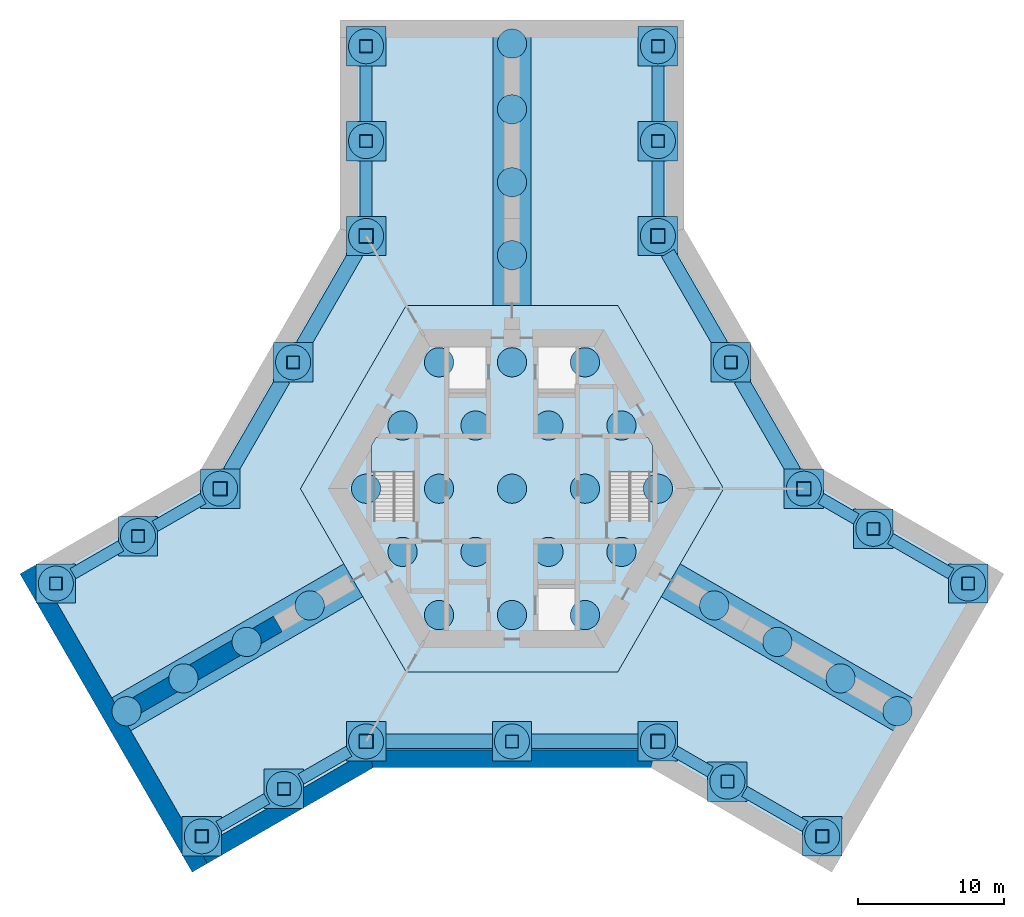
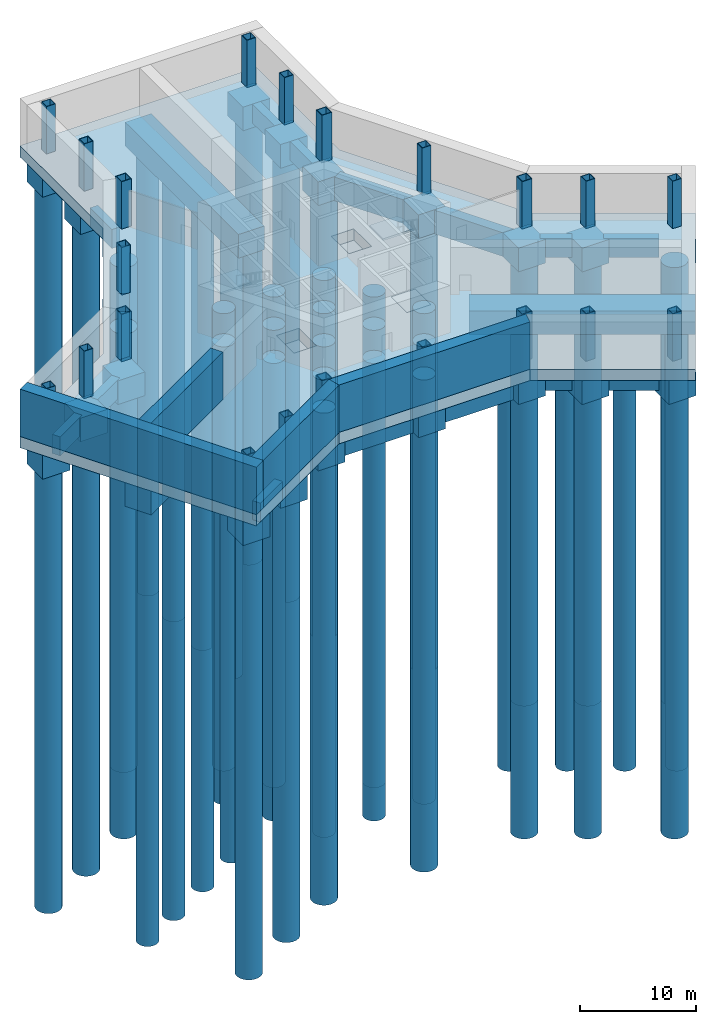
# One storey, part 1 of 5: 52 piles, 43 footings, 21 columns, 4 slabs, 4 walls, 2 elements without a shape of their own.
"""IFC4 building model written with IfcOpenShell, lengths in metres."""

from ifc_helpers import new_model, si_unit, direction, frame, frame_2d, origin, origin_2d, place, context, subcontext, project, spatial, polyline, rectangle, hollow_rectangle, circle, outline, extrude, material, layer, layer_set, material_profile, profile_set, type_object, element, aggregate, save


model = new_model("IFC4")

# Units and contexts
model_context = context("Model", 3, precision=1e-05, world=origin(), true_north=direction((0.0, 1.0)))
body_context = subcontext(model_context, "Body", "Model", "MODEL_VIEW")
ifc_project = project(units=[si_unit("LENGTHUNIT", "METRE"), si_unit("AREAUNIT", "SQUARE_METRE"), si_unit("VOLUMEUNIT", "CUBIC_METRE"), si_unit("PLANEANGLEUNIT", "RADIAN"), si_unit("MASSUNIT", "GRAM", prefix="KILO")], contexts=[model_context])

# Site, building, storey
site_placement = place(None, origin())
site = spatial("IfcSite", under=ifc_project, at=site_placement, CompositionType="ELEMENT")
building_placement = place(site_placement, origin())
building = spatial("IfcBuilding", under=site, at=building_placement, Name="Kasaneha Research Tower", CompositionType="ELEMENT")
storey_placement = place(building_placement, frame((0.0, 0.0, -10.0)))
storey = spatial("IfcBuildingStorey", under=building, at=storey_placement, Name="B2", CompositionType="ELEMENT", Elevation=-10.0)

# Piles
ifc_material_1 = material(Name="Concrete Fc36", Category="concrete")
ifc_material_profile_1 = material_profile(ifc_material_1, circle(Radius=1.0, at=origin_2d()), Name="Bored pile 2000")
ifc_profile_set_1 = profile_set([ifc_material_profile_1], Name="Concrete Fc36")
pile_type_1 = type_object("IfcPileType", Name="Bored pile 2000", PredefinedType="BORED", material=ifc_profile_set_1)
for number, where, z_axis, x_axis, name in (
    (1, (-5.0, -8.66015625, -5.199951171875), (0.0, 0.0, -1.0), (1.0, 0.0, 0.0), "Raft pile 1"),
    (2, (0.0, -8.66015625, -5.199951171875), (0.0, 0.0, -1.0), (1.0, 0.0, 0.0), "Raft pile 2"),
    (3, (5.0, -8.66015625, -5.199951171875), (0.0, 0.0, -1.0), (1.0, 0.0, 0.0), "Raft pile 3"),
    (4, (-7.5, -4.330078125, -5.199951171875), (0.0, 0.0, -1.0), (1.0, 0.0, 0.0), "Raft pile 4"),
    (5, (-2.5, -4.330078125, -5.199951171875), (0.0, 0.0, -1.0), (1.0, 0.0, 0.0), "Raft pile 5"),
    (6, (2.5, -4.330078125, -5.199951171875), (0.0, 0.0, -1.0), (1.0, 0.0, 0.0), "Raft pile 6"),
    (7, (7.5, -4.330078125, -5.199951171875), (0.0, 0.0, -1.0), (1.0, 0.0, 0.0), "Raft pile 7"),
    (8, (-10.0, 0.0, -5.199951171875), (0.0, 0.0, -1.0), (1.0, 0.0, 0.0), "Raft pile 8"),
    (9, (-5.0, 0.0, -5.199951171875), (0.0, 0.0, -1.0), (1.0, 0.0, 0.0), "Raft pile 9"),
    (10, (0.0, 0.0, -5.199951171875), (0.0, 0.0, -1.0), (1.0, 0.0, 0.0), "Raft pile 10"),
    (11, (5.0, 0.0, -5.199951171875), (0.0, 0.0, -1.0), (1.0, 0.0, 0.0), "Raft pile 11"),
    (12, (10.0, 0.0, -5.199951171875), (0.0, 0.0, -1.0), (1.0, 0.0, 0.0), "Raft pile 12"),
    (13, (-7.5, 4.330078125, -5.199951171875), (0.0, 0.0, -1.0), (1.0, 0.0, 0.0), "Raft pile 13"),
    (14, (-2.5, 4.330078125, -5.199951171875), (0.0, 0.0, -1.0), (1.0, 0.0, 0.0), "Raft pile 14"),
    (15, (2.5, 4.330078125, -5.199951171875), (0.0, 0.0, -1.0), (1.0, 0.0, 0.0), "Raft pile 15"),
    (16, (7.5, 4.330078125, -5.199951171875), (0.0, 0.0, -1.0), (1.0, 0.0, 0.0), "Raft pile 16"),
    (17, (-5.0, 8.66015625, -5.199951171875), (0.0, 0.0, -1.0), (1.0, 0.0, 0.0), "Raft pile 17"),
    (18, (0.0, 8.66015625, -5.199951171875), (0.0, 0.0, -1.0), (1.0, 0.0, 0.0), "Raft pile 18"),
    (19, (5.0, 8.66015625, -5.199951171875), (0.0, 0.0, -1.0), (1.0, 0.0, 0.0), "Raft pile 19"),
):
    element("IfcPile", number, at=place(storey_placement, frame(where, z_axis=z_axis, x_axis=x_axis)), inside=storey, type_object=pile_type_1, Name=name, PredefinedType="BORED", context=body_context, shape_type="SweptSolid", body=[
        extrude(circle(Radius=1.0, at=origin_2d()), origin(), (0.0, 0.0, 1.0), 44.800048828125),
    ])
for number, where, z_axis, x_axis, name in (
    (20, (0.0, 16.0, -3.699951171875), (0.0, 0.0, -1.0), (1.0, 0.0, 0.0), "Spine pile A1"),
    (21, (0.0, 21.0, -3.699951171875), (0.0, 0.0, -1.0), (1.0, 0.0, 0.0), "Spine pile A2"),
    (22, (0.0, 26.0, -3.699951171875), (0.0, 0.0, -1.0), (1.0, 0.0, 0.0), "Spine pile A3"),
    (23, (0.0, 30.5, -3.699951171875), (0.0, 0.0, -1.0), (1.0, 0.0, 0.0), "Spine pile A4"),
    (24, (-13.8564453125, -8.0, -3.699951171875), (0.0, 0.0, -1.0), (1.0, 0.0, 0.0), "Spine pile B1"),
    (25, (-18.1865234375, -10.5, -3.699951171875), (0.0, 0.0, -1.0), (1.0, 0.0, 0.0), "Spine pile B2"),
    (26, (-22.5166015625, -13.0, -3.699951171875), (0.0, 0.0, -1.0), (1.0, 0.0, 0.0), "Spine pile B3"),
    (27, (-26.413818359375, -15.25, -3.699951171875), (0.0, 0.0, -1.0), (1.0, 0.0, 0.0), "Spine pile B4"),
    (28, (13.8564453125, -8.0, -3.699951171875), (0.0, 0.0, -1.0), (1.0, 0.0, 0.0), "Spine pile C1"),
    (29, (18.1865234375, -10.5, -3.699951171875), (0.0, 0.0, -1.0), (1.0, 0.0, 0.0), "Spine pile C2"),
    (30, (22.5166015625, -13.0, -3.699951171875), (0.0, 0.0, -1.0), (1.0, 0.0, 0.0), "Spine pile C3"),
    (31, (26.413818359375, -15.25, -3.699951171875), (0.0, 0.0, -1.0), (1.0, 0.0, 0.0), "Spine pile C4"),
):
    element("IfcPile", number, at=place(storey_placement, frame(where, z_axis=z_axis, x_axis=x_axis)), inside=storey, type_object=pile_type_1, Name=name, PredefinedType="BORED", context=body_context, shape_type="SweptSolid", body=[
        extrude(circle(Radius=1.0, at=origin_2d()), origin(), (0.0, 0.0, 1.0), 46.300048828125),
    ])
ifc_material_2 = material(Name="Concrete Fc36", Category="concrete")
ifc_material_profile_2 = material_profile(ifc_material_2, circle(Radius=1.199951171875, at=origin_2d()), Name="Bored pile 2400")
ifc_profile_set_2 = profile_set([ifc_material_profile_2], Name="Concrete Fc36")
pile_type_2 = type_object("IfcPileType", Name="Bored pile 2400", PredefinedType="BORED", material=ifc_profile_set_2)
for number, where, z_axis, x_axis, name in (
    (32, (20.0, 0.0, -3.699951171875), (0.0, 0.0, -1.0), (1.0, 0.0, 0.0), "Column pile V0"),
    (33, (10.0, 17.320556640625, -3.699951171875), (0.0, 0.0, -1.0), (1.0, 0.0, 0.0), "Column pile V1"),
    (34, (-10.0, 17.320556640625, -3.699951171875), (0.0, 0.0, -1.0), (1.0, 0.0, 0.0), "Column pile V2"),
    (35, (-20.0, 0.0, -3.699951171875), (0.0, 0.0, -1.0), (1.0, 0.0, 0.0), "Column pile V3"),
    (36, (-10.0, -17.320556640625, -3.699951171875), (0.0, 0.0, -1.0), (1.0, 0.0, 0.0), "Column pile V4"),
    (37, (10.0, -17.320556640625, -3.699951171875), (0.0, 0.0, -1.0), (1.0, 0.0, 0.0), "Column pile V5"),
    (38, (15.0, 8.66015625, -3.699951171875), (0.0, 0.0, -1.0), (1.0, 0.0, 0.0), "Column pile M030"),
    (39, (-15.0, 8.66015625, -3.699951171875), (0.0, 0.0, -1.0), (1.0, 0.0, 0.0), "Column pile M150"),
    (40, (0.0, -17.320556640625, -3.699951171875), (0.0, 0.0, -1.0), (1.0, 0.0, 0.0), "Column pile M270"),
    (41, (10.0, 23.820556640625, -3.699951171875), (0.0, 0.0, -1.0), (1.0, 0.0, 0.0), "Column pile ASP"),
    (42, (10.0, 30.320556640625, -3.699951171875), (0.0, 0.0, -1.0), (1.0, 0.0, 0.0), "Column pile ATP"),
    (43, (-10.0, 23.820556640625, -3.699951171875), (0.0, 0.0, -1.0), (1.0, 0.0, 0.0), "Column pile ASN"),
    (44, (-10.0, 30.320556640625, -3.699951171875), (0.0, 0.0, -1.0), (1.0, 0.0, 0.0), "Column pile ATN"),
    (45, (-25.629150390625, -3.25, -3.699951171875), (0.0, 0.0, -1.0), (1.0, 0.0, 0.0), "Column pile BSP"),
    (46, (-31.25830078125, -6.5, -3.699951171875), (0.0, 0.0, -1.0), (1.0, 0.0, 0.0), "Column pile BTP"),
    (47, (-15.629150390625, -20.570556640625, -3.699951171875), (0.0, 0.0, -1.0), (1.0, 0.0, 0.0), "Column pile BSN"),
    (48, (-21.25830078125, -23.820556640625, -3.699951171875), (0.0, 0.0, -1.0), (1.0, 0.0, 0.0), "Column pile BTN"),
    (49, (14.76318359375, -20.070556640625, -3.699951171875), (0.0, 0.0, -1.0), (1.0, 0.0, 0.0), "Column pile CSP"),
    (50, (21.25830078125, -23.820556640625, -3.699951171875), (0.0, 0.0, -1.0), (1.0, 0.0, 0.0), "Column pile CTP"),
    (51, (24.76318359375, -2.75, -3.699951171875), (0.0, 0.0, -1.0), (1.0, 0.0, 0.0), "Column pile CSN"),
    (52, (31.25830078125, -6.5, -3.699951171875), (0.0, 0.0, -1.0), (1.0, 0.0, 0.0), "Column pile CTN"),
):
    element("IfcPile", number, at=place(storey_placement, frame(where, z_axis=z_axis, x_axis=x_axis)), inside=storey, type_object=pile_type_2, Name=name, PredefinedType="BORED", context=body_context, shape_type="SweptSolid", body=[
        extrude(circle(Radius=1.199951171875, at=origin_2d()), origin(), (0.0, 0.0, 1.0), 46.300048828125),
    ])

# Footings
ifc_material_3 = material(Name="Concrete Fc36", Category="concrete")
footing_type_1 = type_object("IfcFootingType", Name="Pile cap 2700", PredefinedType="PILE_CAP", material=ifc_material_3)
for number, where, z_axis, x_axis, name in (
    (53, (20.0, 0.0, -3.699951171875), (0.0, 0.0, 1.0), (1.0, 0.0, 0.0), "Pile cap V0"),
    (54, (10.0, 17.320556640625, -3.699951171875), (0.0, 0.0, 1.0), (1.0, 0.0, 0.0), "Pile cap V1"),
    (55, (-10.0, 17.320556640625, -3.699951171875), (0.0, 0.0, 1.0), (1.0, 0.0, 0.0), "Pile cap V2"),
    (56, (-20.0, 0.0, -3.699951171875), (0.0, 0.0, 1.0), (1.0, 0.0, 0.0), "Pile cap V3"),
    (57, (-10.0, -17.320556640625, -3.699951171875), (0.0, 0.0, 1.0), (1.0, 0.0, 0.0), "Pile cap V4"),
    (58, (10.0, -17.320556640625, -3.699951171875), (0.0, 0.0, 1.0), (1.0, 0.0, 0.0), "Pile cap V5"),
    (59, (15.0, 8.66015625, -3.699951171875), (0.0, 0.0, 1.0), (1.0, 0.0, 0.0), "Pile cap M030"),
    (60, (-15.0, 8.66015625, -3.699951171875), (0.0, 0.0, 1.0), (1.0, 0.0, 0.0), "Pile cap M150"),
    (61, (0.0, -17.320556640625, -3.699951171875), (0.0, 0.0, 1.0), (1.0, 0.0, 0.0), "Pile cap M270"),
    (62, (10.0, 23.820556640625, -3.699951171875), (0.0, 0.0, 1.0), (1.0, 0.0, 0.0), "Pile cap ASP"),
    (63, (10.0, 30.320556640625, -3.699951171875), (0.0, 0.0, 1.0), (1.0, 0.0, 0.0), "Pile cap ATP"),
    (64, (-10.0, 23.820556640625, -3.699951171875), (0.0, 0.0, 1.0), (1.0, 0.0, 0.0), "Pile cap ASN"),
    (65, (-10.0, 30.320556640625, -3.699951171875), (0.0, 0.0, 1.0), (1.0, 0.0, 0.0), "Pile cap ATN"),
    (66, (-25.629150390625, -3.25, -3.699951171875), (0.0, 0.0, 1.0), (1.0, 0.0, 0.0), "Pile cap BSP"),
    (67, (-31.25830078125, -6.5, -3.699951171875), (0.0, 0.0, 1.0), (1.0, 0.0, 0.0), "Pile cap BTP"),
    (68, (-15.629150390625, -20.570556640625, -3.699951171875), (0.0, 0.0, 1.0), (1.0, 0.0, 0.0), "Pile cap BSN"),
    (69, (-21.25830078125, -23.820556640625, -3.699951171875), (0.0, 0.0, 1.0), (1.0, 0.0, 0.0), "Pile cap BTN"),
    (70, (14.76318359375, -20.070556640625, -3.699951171875), (0.0, 0.0, 1.0), (1.0, 0.0, 0.0), "Pile cap CSP"),
    (71, (21.25830078125, -23.820556640625, -3.699951171875), (0.0, 0.0, 1.0), (1.0, 0.0, 0.0), "Pile cap CTP"),
    (72, (24.76318359375, -2.75, -3.699951171875), (0.0, 0.0, 1.0), (1.0, 0.0, 0.0), "Pile cap CSN"),
    (73, (31.25830078125, -6.5, -3.699951171875), (0.0, 0.0, 1.0), (1.0, 0.0, 0.0), "Pile cap CTN"),
):
    element("IfcFooting", number, at=place(storey_placement, frame(where, z_axis=z_axis, x_axis=x_axis)), inside=storey, type_object=footing_type_1, Name=name, PredefinedType="PILE_CAP", context=body_context, shape_type="SweptSolid", body=[
        extrude(rectangle(XDim=2.699951171875, YDim=2.699951171875, at=origin_2d()), origin(), (0.0, 0.0, 1.0), 2.5),
    ])
ifc_material_4 = material(Name="Concrete Fc36", Category="concrete")
ifc_layer_1 = layer(ifc_material_4, 4.0)
ifc_layer_set_1 = layer_set([ifc_layer_1], Name="Piled raft 4000")
footing_type_2 = type_object("IfcFootingType", Name="Piled raft 4000", PredefinedType="PILE_CAP", material=ifc_layer_set_1)
footing_1_placement = place(storey_placement, frame((0.0, 0.0, -5.199951171875)))
element("IfcFooting", 74, at=footing_1_placement, inside=storey, type_object=footing_type_2, Name="Core piled raft", PredefinedType="PILE_CAP", context=body_context, shape_type="SweptSolid", body=[
    extrude(outline(polyline([(14.5, 0.0), (7.25, 12.557373046875), (-7.25, 12.557373046875), (-14.5, 0.0), (-7.25, -12.557373046875), (7.25, -12.557373046875), (14.5, 0.0)])), origin(), (0.0, 0.0, 1.0), 4.0),
])
ifc_material_5 = material(Name="Concrete Fc36", Category="concrete")
footing_type_3 = type_object("IfcFootingType", Name="Strip footing 2600", PredefinedType="STRIP_FOOTING", material=ifc_material_5)
footing_2_placement = place(storey_placement, frame((0.0, 0.0, -3.699951171875)))
element("IfcFooting", 75, at=footing_2_placement, inside=storey, type_object=footing_type_3, Name="Spine wall strip footing A", PredefinedType="STRIP_FOOTING", context=body_context, shape_type="SweptSolid", body=[
    extrude(outline(polyline([(-1.300048828125, 12.557373046875), (-1.300048828125, 32.12060546875), (1.300048828125, 32.12060546875), (1.300048828125, 12.557373046875), (-1.300048828125, 12.557373046875)])), origin(), (0.0, 0.0, 1.0), 2.5),
])
footing_3_placement = place(storey_placement, frame((0.0, 0.0, -3.699951171875)))
element("IfcFooting", 76, at=footing_3_placement, inside=storey, type_object=footing_type_3, Name="Spine wall strip footing B", PredefinedType="STRIP_FOOTING", context=body_context, shape_type="SweptSolid", body=[
    extrude(outline(polyline([(-10.22509765625, -7.404541015625), (-27.167236328125, -17.18603515625), (-28.46728515625, -14.934326171875), (-11.52490234375, -5.15283203125), (-10.22509765625, -7.404541015625)])), origin(), (0.0, 0.0, 1.0), 2.5),
])
footing_4_placement = place(storey_placement, frame((0.0, 0.0, -3.699951171875)))
element("IfcFooting", 77, at=footing_4_placement, inside=storey, type_object=footing_type_3, Name="Spine wall strip footing C", PredefinedType="STRIP_FOOTING", context=body_context, shape_type="SweptSolid", body=[
    extrude(outline(polyline([(11.52490234375, -5.15283203125), (28.46728515625, -14.934326171875), (27.167236328125, -17.18603515625), (10.22509765625, -7.404541015625), (11.52490234375, -5.15283203125)])), origin(), (0.0, 0.0, 1.0), 2.5),
])
ifc_material_6 = material(Name="Concrete Fc36", Category="concrete")
footing_type_4 = type_object("IfcFootingType", Name="Tie beam 1000x2500", PredefinedType="FOOTING_BEAM", material=ifc_material_6)
for number, where, z_axis, x_axis, name in (
    (78, (-17.5, 4.330078125, -3.699951171875), (0.0, 0.0, 1.0), (0.5, 0.866025403784, 0.0), "Tie beam V3-M150"),
    (79, (-12.5, 12.990478515625, -3.699951171875), (0.0, 0.0, 1.0), (0.5, 0.866025403784, 0.0), "Tie beam M150-V2"),
    (80, (12.5, 12.990478515625, -3.699951171875), (0.0, 0.0, 1.0), (0.5, -0.866025403784, 0.0), "Tie beam V1-M030"),
    (81, (17.5, 4.330078125, -3.699951171875), (0.0, 0.0, 1.0), (0.5, -0.866025403784, 0.0), "Tie beam M030-V0"),
    (82, (5.0, -17.320556640625, -3.699951171875), (0.0, 0.0, 1.0), (-1.0, 0.0, 0.0), "Tie beam V5-M270"),
    (83, (-5.0, -17.320556640625, -3.699951171875), (0.0, 0.0, 1.0), (-1.0, 0.0, 0.0), "Tie beam M270-V4"),
):
    element("IfcFooting", number, at=place(storey_placement, frame(where, z_axis=z_axis, x_axis=x_axis)), inside=storey, type_object=footing_type_4, Name=name, PredefinedType="FOOTING_BEAM", context=body_context, shape_type="SweptSolid", body=[
        extrude(rectangle(XDim=7.300048828125, YDim=1.0, at=origin_2d()), origin(), (0.0, 0.0, 1.0), 2.5),
    ])
ifc_material_7 = material(Name="Concrete Fc36", Category="concrete")
footing_type_5 = type_object("IfcFootingType", Name="Tie beam 800x2000", PredefinedType="FOOTING_BEAM", material=ifc_material_7)
for number, where, z_axis, x_axis, name in (
    (84, (-28.44384765625, -4.875, -3.199951171875), (0.0, 0.0, 1.0), (0.866025403758, 0.500000000045, 0.0), "Tie beam BTP-BSP"),
    (85, (-22.814697265625, -1.625, -3.199951171875), (0.0, 0.0, 1.0), (0.866025403802, 0.49999999997, 0.0), "Tie beam BSP-V3"),
    (86, (-10.0, 20.570556640625, -3.199951171875), (0.0, 0.0, 1.0), (0.0, 1.0, 0.0), "Tie beam V2-ASN"),
    (87, (-10.0, 27.070556640625, -3.199951171875), (0.0, 0.0, 1.0), (0.0, 1.0, 0.0), "Tie beam ASN-ATN"),
    (88, (10.0, 27.070556640625, -3.199951171875), (0.0, 0.0, 1.0), (0.0, -1.0, 0.0), "Tie beam ATP-ASP"),
    (89, (10.0, 20.570556640625, -3.199951171875), (0.0, 0.0, 1.0), (0.0, -1.0, 0.0), "Tie beam ASP-V1"),
):
    element("IfcFooting", number, at=place(storey_placement, frame(where, z_axis=z_axis, x_axis=x_axis)), inside=storey, type_object=footing_type_5, Name=name, PredefinedType="FOOTING_BEAM", context=body_context, shape_type="SweptSolid", body=[
        extrude(rectangle(XDim=3.800048828125, YDim=0.800048828125, at=origin_2d()), origin(), (0.0, 0.0, 1.0), 2.0),
    ])
footing_5_placement = place(storey_placement, frame((22.381591796875, -1.375, -3.199951171875), z_axis=(0.0, 0.0, 1.0), x_axis=(0.866025403793, -0.499999999985, 0.0)))
element("IfcFooting", 90, at=footing_5_placement, inside=storey, type_object=footing_type_5, Name="Tie beam V0-CSN", PredefinedType="FOOTING_BEAM", context=body_context, shape_type="SweptSolid", body=[
    extrude(rectangle(XDim=2.800048828125, YDim=0.800048828125, at=origin_2d()), origin(), (0.0, 0.0, 1.0), 2.0),
])
for number, where, z_axis, x_axis, name in (
    (91, (28.0107421875, -4.625, -3.199951171875), (0.0, 0.0, 1.0), (0.866025403776, -0.500000000015, 0.0), "Tie beam CSN-CTN"),
    (92, (18.0107421875, -21.945556640625, -3.199951171875), (0.0, 0.0, 1.0), (-0.866025403776, 0.500000000015, 0.0), "Tie beam CTP-CSP"),
):
    element("IfcFooting", number, at=place(storey_placement, frame(where, z_axis=z_axis, x_axis=x_axis)), inside=storey, type_object=footing_type_5, Name=name, PredefinedType="FOOTING_BEAM", context=body_context, shape_type="SweptSolid", body=[
        extrude(rectangle(XDim=4.800048828125, YDim=0.800048828125, at=origin_2d()), origin(), (0.0, 0.0, 1.0), 2.0),
    ])
footing_6_placement = place(storey_placement, frame((12.381591796875, -18.695556640625, -3.199951171875), z_axis=(0.0, 0.0, 1.0), x_axis=(-0.866025403767, 0.50000000003, 0.0)))
element("IfcFooting", 93, at=footing_6_placement, inside=storey, type_object=footing_type_5, Name="Tie beam CSP-V5", PredefinedType="FOOTING_BEAM", context=body_context, shape_type="SweptSolid", body=[
    extrude(rectangle(XDim=2.800048828125, YDim=0.800048828125, at=origin_2d()), origin(), (0.0, 0.0, 1.0), 2.0),
])
for number, where, z_axis, x_axis, name in (
    (94, (-12.814697265625, -18.945556640625, -3.199951171875), (0.0, 0.0, 1.0), (-0.866025403776, -0.500000000015, 0.0), "Tie beam V4-BSN"),
    (95, (-18.44384765625, -22.195556640625, -3.199951171875), (0.0, 0.0, 1.0), (-0.866025403758, -0.500000000045, 0.0), "Tie beam BSN-BTN"),
):
    element("IfcFooting", number, at=place(storey_placement, frame(where, z_axis=z_axis, x_axis=x_axis)), inside=storey, type_object=footing_type_5, Name=name, PredefinedType="FOOTING_BEAM", context=body_context, shape_type="SweptSolid", body=[
        extrude(rectangle(XDim=3.800048828125, YDim=0.800048828125, at=origin_2d()), origin(), (0.0, 0.0, 1.0), 2.0),
    ])

# Columns
ifc_material_8 = material(Name="Steel SN490C", Category="steel")
ifc_material_profile_3 = material_profile(ifc_material_8, hollow_rectangle(XDim=1.0, YDim=1.0, WallThickness=0.06005859375, at=origin_2d()), Name="BOX-1000x1000x60")
ifc_profile_set_3 = profile_set([ifc_material_profile_3], Name="Steel SN490C")
column_type_1 = type_object("IfcColumnType", Name="C1A column BOX-1000x1000x60", PredefinedType="COLUMN", material=ifc_profile_set_3)
for number, where, z_axis, x_axis, name in (
    (96, (20.0, 0.0, -1.199951171875), (0.0, 0.0, 1.0), (1.0, 0.0, 0.0), "Column V0 B2"),
    (97, (10.0, 17.320556640625, -1.199951171875), (0.0, 0.0, 1.0), (1.0, 0.0, 0.0), "Column V1 B2"),
    (98, (-10.0, 17.320556640625, -1.199951171875), (0.0, 0.0, 1.0), (1.0, 0.0, 0.0), "Column V2 B2"),
    (99, (-20.0, 0.0, -1.199951171875), (0.0, 0.0, 1.0), (1.0, 0.0, 0.0), "Column V3 B2"),
    (100, (-10.0, -17.320556640625, -1.199951171875), (0.0, 0.0, 1.0), (1.0, 0.0, 0.0), "Column V4 B2"),
    (101, (10.0, -17.320556640625, -1.199951171875), (0.0, 0.0, 1.0), (1.0, 0.0, 0.0), "Column V5 B2"),
):
    element("IfcColumn", number, at=place(storey_placement, frame(where, z_axis=z_axis, x_axis=x_axis)), inside=storey, type_object=column_type_1, Name=name, PredefinedType="COLUMN", context=body_context, shape_type="SweptSolid", body=[
        extrude(hollow_rectangle(XDim=1.0, YDim=1.0, WallThickness=0.06005859375, at=origin_2d()), origin(), (0.0, 0.0, 1.0), 6.199951171875),
    ])
ifc_material_9 = material(Name="Steel SN490C", Category="steel")
ifc_material_profile_4 = material_profile(ifc_material_9, hollow_rectangle(XDim=0.89990234375, YDim=0.89990234375, WallThickness=0.050048828125, at=origin_2d()), Name="BOX-900x900x50")
ifc_profile_set_4 = profile_set([ifc_material_profile_4], Name="Steel SN490C")
column_type_2 = type_object("IfcColumnType", Name="C1B column BOX-900x900x50", PredefinedType="COLUMN", material=ifc_profile_set_4)
for number, where, z_axis, x_axis, name in (
    (102, (15.0, 8.66015625, -1.199951171875), (0.0, 0.0, 1.0), (1.0, 0.0, 0.0), "Column M030 B2"),
    (103, (-15.0, 8.66015625, -1.199951171875), (0.0, 0.0, 1.0), (1.0, 0.0, 0.0), "Column M150 B2"),
    (104, (0.0, -17.320556640625, -1.199951171875), (0.0, 0.0, 1.0), (1.0, 0.0, 0.0), "Column M270 B2"),
    (105, (10.0, 23.820556640625, -1.199951171875), (0.0, 0.0, 1.0), (1.0, 0.0, 0.0), "Column ASP B2"),
    (106, (10.0, 30.320556640625, -1.199951171875), (0.0, 0.0, 1.0), (1.0, 0.0, 0.0), "Column ATP B2"),
    (107, (-10.0, 23.820556640625, -1.199951171875), (0.0, 0.0, 1.0), (1.0, 0.0, 0.0), "Column ASN B2"),
    (108, (-10.0, 30.320556640625, -1.199951171875), (0.0, 0.0, 1.0), (1.0, 0.0, 0.0), "Column ATN B2"),
    (109, (-25.629150390625, -3.25, -1.199951171875), (0.0, 0.0, 1.0), (1.0, 0.0, 0.0), "Column BSP B2"),
    (110, (-31.25830078125, -6.5, -1.199951171875), (0.0, 0.0, 1.0), (1.0, 0.0, 0.0), "Column BTP B2"),
    (111, (-15.629150390625, -20.570556640625, -1.199951171875), (0.0, 0.0, 1.0), (1.0, 0.0, 0.0), "Column BSN B2"),
    (112, (-21.25830078125, -23.820556640625, -1.199951171875), (0.0, 0.0, 1.0), (1.0, 0.0, 0.0), "Column BTN B2"),
    (113, (14.76318359375, -20.070556640625, -1.199951171875), (0.0, 0.0, 1.0), (1.0, 0.0, 0.0), "Column CSP B2"),
    (114, (21.25830078125, -23.820556640625, -1.199951171875), (0.0, 0.0, 1.0), (1.0, 0.0, 0.0), "Column CTP B2"),
    (115, (24.76318359375, -2.75, -1.199951171875), (0.0, 0.0, 1.0), (1.0, 0.0, 0.0), "Column CSN B2"),
    (116, (31.25830078125, -6.5, -1.199951171875), (0.0, 0.0, 1.0), (1.0, 0.0, 0.0), "Column CTN B2"),
):
    element("IfcColumn", number, at=place(storey_placement, frame(where, z_axis=z_axis, x_axis=x_axis)), inside=storey, type_object=column_type_2, Name=name, PredefinedType="COLUMN", context=body_context, shape_type="SweptSolid", body=[
        extrude(hollow_rectangle(XDim=0.89990234375, YDim=0.89990234375, WallThickness=0.050048828125, at=origin_2d()), origin(), (0.0, 0.0, 1.0), 6.199951171875),
    ])

# Slabs
ifc_material_10 = material(Name="Concrete Fc36", Category="concrete")
ifc_layer_2 = layer(ifc_material_10, 1.199951171875)
ifc_layer_set_2 = layer_set([ifc_layer_2], Name="Base slab 1200")
slab_type_1 = type_object("IfcSlabType", Name="Base slab 1200", PredefinedType="BASESLAB", material=ifc_layer_set_2)
slab_1_placement = place(storey_placement, frame((0.0, 0.0, -1.199951171875)))
element("IfcSlab", 117, at=slab_1_placement, inside=storey, type_object=slab_type_1, Name="Base slab", PredefinedType="BASESLAB", context=body_context, shape_type="SweptSolid", body=[
    extrude(outline(polyline([(-21.317626953125, 1.317626953125), (-11.800048828125, 17.802734375), (-11.800048828125, 32.12060546875), (11.800048828125, 32.12060546875), (11.800048828125, 17.802734375), (21.317626953125, 1.317626953125), (33.71728515625, -5.841064453125), (21.917236328125, -26.279296875), (9.517578125, -19.12060546875), (-9.517578125, -19.12060546875), (-21.917236328125, -26.279296875), (-33.71728515625, -5.841064453125), (-21.317626953125, 1.317626953125)]), holes=[polyline([(-20.808349609375, -23.37060546875), (-21.708251953125, -23.37060546875), (-21.708251953125, -24.2705078125), (-20.808349609375, -24.2705078125), (-20.808349609375, -23.37060546875)]), polyline([(-15.17919921875, -21.0205078125), (-15.17919921875, -20.12060546875), (-16.0791015625, -20.12060546875), (-16.0791015625, -21.0205078125), (-15.17919921875, -21.0205078125)]), polyline([(0.449951171875, -17.7705078125), (0.449951171875, -16.87060546875), (-0.449951171875, -16.87060546875), (-0.449951171875, -17.7705078125), (0.449951171875, -17.7705078125)]), polyline([(-9.5, -16.820556640625), (-10.5, -16.820556640625), (-10.5, -17.820556640625), (-9.5, -17.820556640625), (-9.5, -16.820556640625)]), polyline([(-30.808349609375, -6.949951171875), (-30.808349609375, -6.050048828125), (-31.708251953125, -6.050048828125), (-31.708251953125, -6.949951171875), (-30.808349609375, -6.949951171875)]), polyline([(-4.675048828125, -6.824951171875), (-4.675048828125, -3.77490234375), (-6.925048828125, -3.77490234375), (-6.925048828125, -6.824951171875), (-4.675048828125, -6.824951171875)]), polyline([(-25.17919921875, -2.800048828125), (-26.0791015625, -2.800048828125), (-26.0791015625, -3.699951171875), (-25.17919921875, -3.699951171875), (-25.17919921875, -2.800048828125)]), polyline([(-19.5, -0.5), (-19.5, 0.5), (-20.5, 0.5), (-20.5, -0.5), (-19.5, -0.5)]), polyline([(-14.550048828125, 8.210205078125), (-14.550048828125, 9.1103515625), (-15.449951171875, 9.1103515625), (-15.449951171875, 8.210205078125), (-14.550048828125, 8.210205078125)]), polyline([(-9.5, 17.820556640625), (-10.5, 17.820556640625), (-10.5, 16.820556640625), (-9.5, 16.820556640625), (-9.5, 17.820556640625)]), polyline([(-9.550048828125, 23.37060546875), (-9.550048828125, 24.2705078125), (-10.449951171875, 24.2705078125), (-10.449951171875, 23.37060546875), (-9.550048828125, 23.37060546875)]), polyline([(-9.550048828125, 29.87060546875), (-9.550048828125, 30.7705078125), (-10.449951171875, 30.7705078125), (-10.449951171875, 29.87060546875), (-9.550048828125, 29.87060546875)]), polyline([(21.708251953125, -23.37060546875), (20.808349609375, -23.37060546875), (20.808349609375, -24.2705078125), (21.708251953125, -24.2705078125), (21.708251953125, -23.37060546875)]), polyline([(15.213134765625, -20.5205078125), (15.213134765625, -19.62060546875), (14.313232421875, -19.62060546875), (14.313232421875, -20.5205078125), (15.213134765625, -20.5205078125)]), polyline([(10.5, -17.820556640625), (10.5, -16.820556640625), (9.5, -16.820556640625), (9.5, -17.820556640625), (10.5, -17.820556640625)]), polyline([(31.708251953125, -6.050048828125), (30.808349609375, -6.050048828125), (30.808349609375, -6.949951171875), (31.708251953125, -6.949951171875), (31.708251953125, -6.050048828125)]), polyline([(7.0, -6.39990234375), (7.0, -3.675048828125), (4.574951171875, -3.675048828125), (4.574951171875, -6.39990234375), (7.0, -6.39990234375)]), polyline([(25.213134765625, -3.199951171875), (25.213134765625, -2.300048828125), (24.313232421875, -2.300048828125), (24.313232421875, -3.199951171875), (25.213134765625, -3.199951171875)]), polyline([(20.5, 0.5), (19.5, 0.5), (19.5, -0.5), (20.5, -0.5), (20.5, 0.5)]), polyline([(6.925048828125, 3.77490234375), (6.925048828125, 6.824951171875), (4.675048828125, 6.824951171875), (4.675048828125, 3.77490234375), (6.925048828125, 3.77490234375)]), polyline([(15.449951171875, 8.210205078125), (15.449951171875, 9.1103515625), (14.550048828125, 9.1103515625), (14.550048828125, 8.210205078125), (15.449951171875, 8.210205078125)]), polyline([(10.5, 17.820556640625), (9.5, 17.820556640625), (9.5, 16.820556640625), (10.5, 16.820556640625), (10.5, 17.820556640625)]), polyline([(10.449951171875, 23.37060546875), (10.449951171875, 24.2705078125), (9.550048828125, 24.2705078125), (9.550048828125, 23.37060546875), (10.449951171875, 23.37060546875)]), polyline([(10.449951171875, 29.87060546875), (10.449951171875, 30.7705078125), (9.550048828125, 30.7705078125), (9.550048828125, 29.87060546875), (10.449951171875, 29.87060546875)])]), origin(), (0.0, 0.0, 1.0), 1.199951171875),
])
ifc_material_11 = material(Name="Concrete Fc24", Category="concrete")
ifc_layer_3 = layer(ifc_material_11, 0.300048828125)
ifc_layer_set_3 = layer_set([ifc_layer_3], Name="Lift pit slab 300")
slab_type_2 = type_object("IfcSlabType", Name="Lift pit slab 300", PredefinedType="USERDEFINED", material=ifc_layer_set_3)
slab_2_placement = place(storey_placement, frame((0.0, 0.0, -0.300048828125)))
element("IfcSlab", 118, at=slab_2_placement, inside=storey, type_object=slab_type_2, Name="Lift pit slab PL1", ObjectType="LIFT PIT SLAB", PredefinedType="USERDEFINED", context=body_context, shape_type="SweptSolid", body=[
    extrude(outline(polyline([(7.0, -6.39990234375), (4.574951171875, -6.39990234375), (4.574951171875, -3.675048828125), (7.0, -3.675048828125), (7.0, -6.39990234375)])), origin(), (0.0, 0.0, 1.0), 0.300048828125),
])

# Stair, slab
ifc_material_12 = material(Name="Concrete Fc24", Category="concrete")
stair_type = type_object("IfcStairType", Name="Half-turn stair 28 risers", PredefinedType="HALF_TURN_STAIR", material=ifc_material_12)
stair_1_placement = place(storey_placement, origin())
stair_1 = element("IfcStair", 119, at=stair_1_placement, inside=storey, type_object=stair_type, Name="Stair 1 B2", PredefinedType="HALF_TURN_STAIR")
ifc_material_13 = material(Name="Concrete Fc24", Category="concrete")
ifc_layer_4 = layer(ifc_material_13, 0.199951171875)
ifc_layer_set_4 = layer_set([ifc_layer_4], Name="Stair 1 landing 200")
slab_type_3 = type_object("IfcSlabType", Name="Stair 1 landing 200", PredefinedType="LANDING", material=ifc_layer_set_4)
slab_3_placement = place(storey_placement, frame((0.0, 0.0, 2.300048828125)))
slab_3 = element("IfcSlab", 120, at=slab_3_placement, type_object=slab_type_3, Name="ST1-28R landing 1", PredefinedType="LANDING", context=body_context, shape_type="SweptSolid", body=[
    extrude(outline(polyline([(6.574951171875, 3.52490234375), (9.309814453125, 3.52490234375), (9.625, 2.97900390625), (9.625, 1.155029296875), (6.574951171875, 1.155029296875), (6.574951171875, 3.52490234375)])), origin(), (0.0, 0.0, 1.0), 0.199951171875),
])
aggregate(stair_1, [slab_3])

stair_2_placement = place(storey_placement, origin())
stair_2 = element("IfcStair", 121, at=stair_2_placement, inside=storey, type_object=stair_type, Name="Stair 2 B2", PredefinedType="HALF_TURN_STAIR")
ifc_material_14 = material(Name="Concrete Fc24", Category="concrete")
ifc_layer_5 = layer(ifc_material_14, 0.199951171875)
ifc_layer_set_5 = layer_set([ifc_layer_5], Name="Stair 2 landing 200")
slab_type_4 = type_object("IfcSlabType", Name="Stair 2 landing 200", PredefinedType="LANDING", material=ifc_layer_set_5)
slab_4_placement = place(storey_placement, frame((0.0, 0.0, 2.300048828125)))
slab_4 = element("IfcSlab", 122, at=slab_4_placement, type_object=slab_type_4, Name="ST2-28R landing 1", PredefinedType="LANDING", context=body_context, shape_type="SweptSolid", body=[
    extrude(outline(polyline([(-6.574951171875, 1.155029296875), (-9.625, 1.155029296875), (-9.625, 2.97900390625), (-9.309814453125, 3.52490234375), (-6.574951171875, 3.52490234375), (-6.574951171875, 1.155029296875)])), origin(), (0.0, 0.0, 1.0), 0.199951171875),
])
aggregate(stair_2, [slab_4])

# Walls
ifc_material_15 = material(Name="Concrete Fc60", Category="concrete")
ifc_layer_6 = layer(ifc_material_15, 1.199951171875)
ifc_layer_set_6 = layer_set([ifc_layer_6], Name="Basement retaining wall 1200 Fc60")
wall_type_1 = type_object("IfcWallType", Name="Basement retaining wall 1200 Fc60", PredefinedType="SOLIDWALL", material=ifc_layer_set_6)
wall_1_placement = place(storey_placement, frame((9.678466796875, -18.5205078125, 0.0), z_axis=(0.0, 0.0, 1.0), x_axis=(-1.0, 0.0, 0.0)))
element("IfcWall", 123, at=wall_1_placement, inside=storey, type_object=wall_type_1, Name="Retaining wall 10 B2", PredefinedType="SOLIDWALL", context=body_context, shape_type="SweptSolid", body=[
    extrude(outline(polyline([(-0.160888671875, -0.60009765625), (19.517822265625, -0.60009765625), (19.196044921875, 0.60009765625), (0.160888671875, 0.60009765625), (-0.160888671875, -0.60009765625)])), origin(), (0.0, 0.0, 1.0), 5.0),
])
wall_2_placement = place(storey_placement, frame((-9.678466796875, -18.5205078125, 0.0), z_axis=(0.0, 0.0, 1.0), x_axis=(-0.866028209229, -0.499995140796, 0.0)))
element("IfcWall", 124, at=wall_2_placement, inside=storey, type_object=wall_type_1, Name="Retaining wall 11 B2", PredefinedType="SOLIDWALL", context=body_context, shape_type="SweptSolid", body=[
    extrude(outline(polyline([(-0.160888671875, -0.60009765625), (13.278564453125, -0.60009765625), (13.278564453125, 0.60009765625), (0.160888671875, 0.60009765625), (-0.160888671875, -0.60009765625)])), origin(), (0.0, 0.0, 1.0), 5.0),
])
wall_3_placement = place(storey_placement, frame((-21.3974609375, -25.979248046875, 0.0), z_axis=(0.0, 0.0, 1.0), x_axis=(-0.500005427746, 0.866022270051, 0.0)))
element("IfcWall", 125, at=wall_3_placement, inside=storey, type_object=wall_type_1, Name="Retaining wall 12 B2", PredefinedType="SOLIDWALL", context=body_context, shape_type="SweptSolid", body=[
    extrude(rectangle(XDim=23.599853515625, YDim=1.199951171875, at=frame_2d((11.7998046875, 0.0))), origin(), (0.0, 0.0, 1.0), 5.0),
])
ifc_material_16 = material(Name="Concrete Fc100", Category="concrete")
ifc_layer_7 = layer(ifc_material_16, 1.199951171875)
ifc_layer_set_7 = layer_set([ifc_layer_7], Name="Spine wall 1200 Fc100")
wall_type_2 = type_object("IfcWallType", Name="Spine wall 1200 Fc100", PredefinedType="SHEAR", material=ifc_layer_set_7)
wall_4_placement = place(storey_placement, frame((-16.039306640625, -9.26025390625, 0.0), z_axis=(0.0, 0.0, 1.0), x_axis=(-0.866023285932, -0.50000366821, 0.0)))
element("IfcWall", 126, at=wall_4_placement, inside=storey, type_object=wall_type_2, Name="Spine wall B wing B2", PredefinedType="SHEAR", context=body_context, shape_type="SweptSolid", body=[
    extrude(rectangle(XDim=12.39990234375, YDim=1.199951171875, at=frame_2d((6.199951171875, 0.0))), origin(), (0.0, 0.0, 1.0), 5.0),
])

save(model, "model.ifc")
